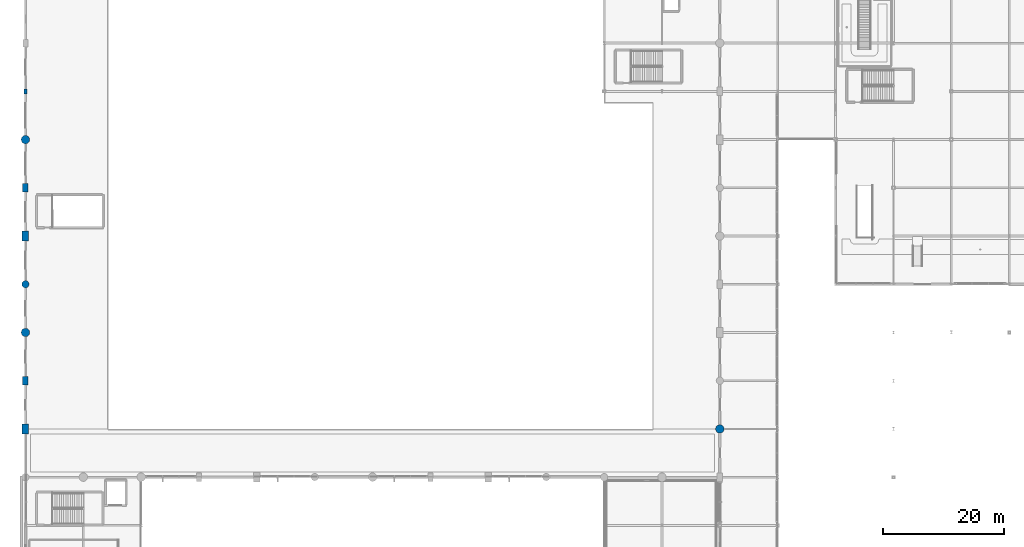
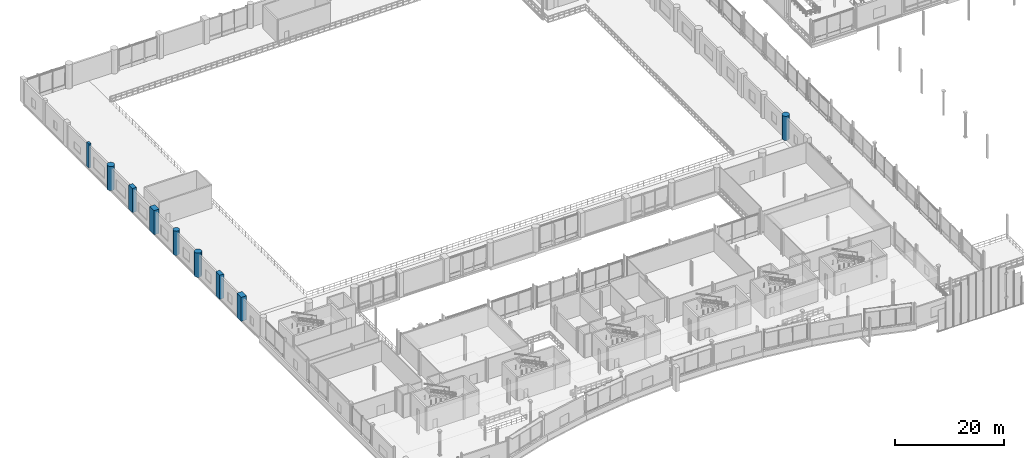
# One storey, part 9 of 129: 9 columns.
"""IFC4 building model written with IfcOpenShell, lengths in metres."""

from ifc_helpers import new_model, si_unit, direction, frame, origin, origin_2d, place, context, subcontext, project, spatial, rectangle, circle, extrude, material, material_profile, profile_set, type_object, element, save


model = new_model("IFC4")

# Units and contexts
model_context = context("Model", 3, precision=1e-05, world=origin(), true_north=direction((0.0, 1.0)))
body_context = subcontext(model_context, "Body", "Model", "MODEL_VIEW")
ifc_project = project(units=[si_unit("LENGTHUNIT", "METRE"), si_unit("AREAUNIT", "SQUARE_METRE"), si_unit("VOLUMEUNIT", "CUBIC_METRE"), si_unit("PLANEANGLEUNIT", "RADIAN"), si_unit("MASSUNIT", "GRAM", prefix="KILO")], contexts=[model_context])

# Site, building, storey
site_placement = place(None, origin())
site = spatial("IfcSite", under=ifc_project, at=site_placement, CompositionType="ELEMENT")
building_placement = place(site_placement, origin())
building = spatial("IfcBuilding", under=site, at=building_placement, Name="Danafjord Basin Convention Centre", CompositionType="ELEMENT")
storey_placement = place(building_placement, frame((0.0, 0.0, 6.0)))
storey = spatial("IfcBuildingStorey", under=building, at=storey_placement, Name="L01", CompositionType="ELEMENT", Elevation=6.0)

# Columns
ifc_material_1 = material(Name="Precast concrete C45/55", Category="concrete")
ifc_material_profile_1 = material_profile(ifc_material_1, rectangle(XDim=0.5, YDim=0.800048828125, at=origin_2d()), Name="PCB 500x800")
ifc_profile_set_1 = profile_set([ifc_material_profile_1], Name="Precast concrete C45/55")
column_type_1 = type_object("IfcColumnType", Name="COL-C-PIL800", PredefinedType="PILASTER", material=ifc_profile_set_1)
column_1_placement = place(storey_placement, frame((0.0, 120.0, 0.0), z_axis=(0.0, 0.0, 1.0), x_axis=(1.0, 0.0, 0.0)))
element("IfcColumn", 1, at=column_1_placement, inside=storey, type_object=column_type_1, Name="L01 column C-PIL800 at (0.0, 120.0)", PredefinedType="PILASTER", context=body_context, shape_type="SweptSolid", body=[
    extrude(rectangle(XDim=0.5, YDim=0.800048828125, at=origin_2d()), origin(), (0.0, 0.0, 1.0), 5.39990234375),
])
ifc_material_2 = material(Name="Concrete C50/60", Category="concrete")
ifc_material_profile_2 = material_profile(ifc_material_2, rectangle(XDim=0.89990234375, YDim=1.39990234375, at=origin_2d()), Name="RC 1400x900")
ifc_profile_set_2 = profile_set([ifc_material_profile_2], Name="Concrete C50/60")
column_type_2 = type_object("IfcColumnType", Name="COL-C-RC1400", PredefinedType="COLUMN", material=ifc_profile_set_2)
for number, where, z_axis, x_axis, name in (
    (2, (0.0, 72.0, 0.0), (0.0, 0.0, 1.0), (1.0, 0.0, 0.0), "L01 column C-RC1400 at (0.0, 72.0)"),
    (3, (0.0, 104.0, 0.0), (0.0, 0.0, 1.0), (1.0, 0.0, 0.0), "L01 column C-RC1400 at (0.0, 104.0)"),
):
    element("IfcColumn", number, at=place(storey_placement, frame(where, z_axis=z_axis, x_axis=x_axis)), inside=storey, type_object=column_type_2, Name=name, PredefinedType="COLUMN", context=body_context, shape_type="SweptSolid", body=[
        extrude(rectangle(XDim=0.89990234375, YDim=1.39990234375, at=origin_2d()), origin(), (0.0, 0.0, 1.0), 5.39990234375),
    ])
ifc_material_profile_3 = material_profile(ifc_material_2, rectangle(XDim=1.10009765625, YDim=1.60009765625, at=origin_2d()), Name="RC 1600x1100")
ifc_profile_set_3 = profile_set([ifc_material_profile_3], Name="Concrete C50/60")
column_type_3 = type_object("IfcColumnType", Name="COL-C-RC1600", PredefinedType="COLUMN", material=ifc_profile_set_3)
for number, where, z_axis, x_axis, name in (
    (4, (0.0, 64.0, 0.0), (0.0, 0.0, 1.0), (1.0, 0.0, 0.0), "L01 column C-RC1600 at (0.0, 64.0)"),
    (5, (0.0, 96.0, 0.0), (0.0, 0.0, 1.0), (1.0, 0.0, 0.0), "L01 column C-RC1600 at (0.0, 96.0)"),
):
    element("IfcColumn", number, at=place(storey_placement, frame(where, z_axis=z_axis, x_axis=x_axis)), inside=storey, type_object=column_type_3, Name=name, PredefinedType="COLUMN", context=body_context, shape_type="SweptSolid", body=[
        extrude(rectangle(XDim=1.10009765625, YDim=1.60009765625, at=origin_2d()), origin(), (0.0, 0.0, 1.0), 5.39990234375),
    ])
ifc_material_profile_4 = material_profile(ifc_material_2, circle(Radius=0.60009765625, at=origin_2d()), Name="RC D1200")
ifc_profile_set_4 = profile_set([ifc_material_profile_4], Name="Concrete C50/60")
column_type_4 = type_object("IfcColumnType", Name="COL-C-RCD1200", PredefinedType="COLUMN", material=ifc_profile_set_4)
column_2_placement = place(storey_placement, frame((0.0, 88.0, 0.0), z_axis=(0.0, 0.0, 1.0), x_axis=(1.0, 0.0, 0.0)))
element("IfcColumn", 6, at=column_2_placement, inside=storey, type_object=column_type_4, Name="L01 column C-RCD1200 at (0.0, 88.0)", PredefinedType="COLUMN", context=body_context, shape_type="SweptSolid", body=[
    extrude(circle(Radius=0.60009765625, at=origin_2d()), origin(), (0.0, 0.0, 1.0), 5.39990234375),
])
ifc_material_profile_5 = material_profile(ifc_material_2, circle(Radius=0.699951171875, at=origin_2d()), Name="RC D1400")
ifc_profile_set_5 = profile_set([ifc_material_profile_5], Name="Concrete C50/60")
column_type_5 = type_object("IfcColumnType", Name="COL-C-RCD1400", PredefinedType="COLUMN", material=ifc_profile_set_5)
for number, where, z_axis, x_axis, name in (
    (7, (0.0, 80.0, 0.0), (0.0, 0.0, 1.0), (1.0, 0.0, 0.0), "L01 column C-RCD1400 at (0.0, 80.0)"),
    (8, (0.0, 112.0, 0.0), (0.0, 0.0, 1.0), (1.0, 0.0, 0.0), "L01 column C-RCD1400 at (0.0, 112.0)"),
    (9, (115.199951171875, 64.0, 0.0), (0.0, 0.0, 1.0), (1.0, 0.0, 0.0), "L01 column C-RCD1400 at (115.2, 64.0)"),
):
    element("IfcColumn", number, at=place(storey_placement, frame(where, z_axis=z_axis, x_axis=x_axis)), inside=storey, type_object=column_type_5, Name=name, PredefinedType="COLUMN", context=body_context, shape_type="SweptSolid", body=[
        extrude(circle(Radius=0.699951171875, at=origin_2d()), origin(), (0.0, 0.0, 1.0), 5.39990234375),
    ])

save(model, "model.ifc")
